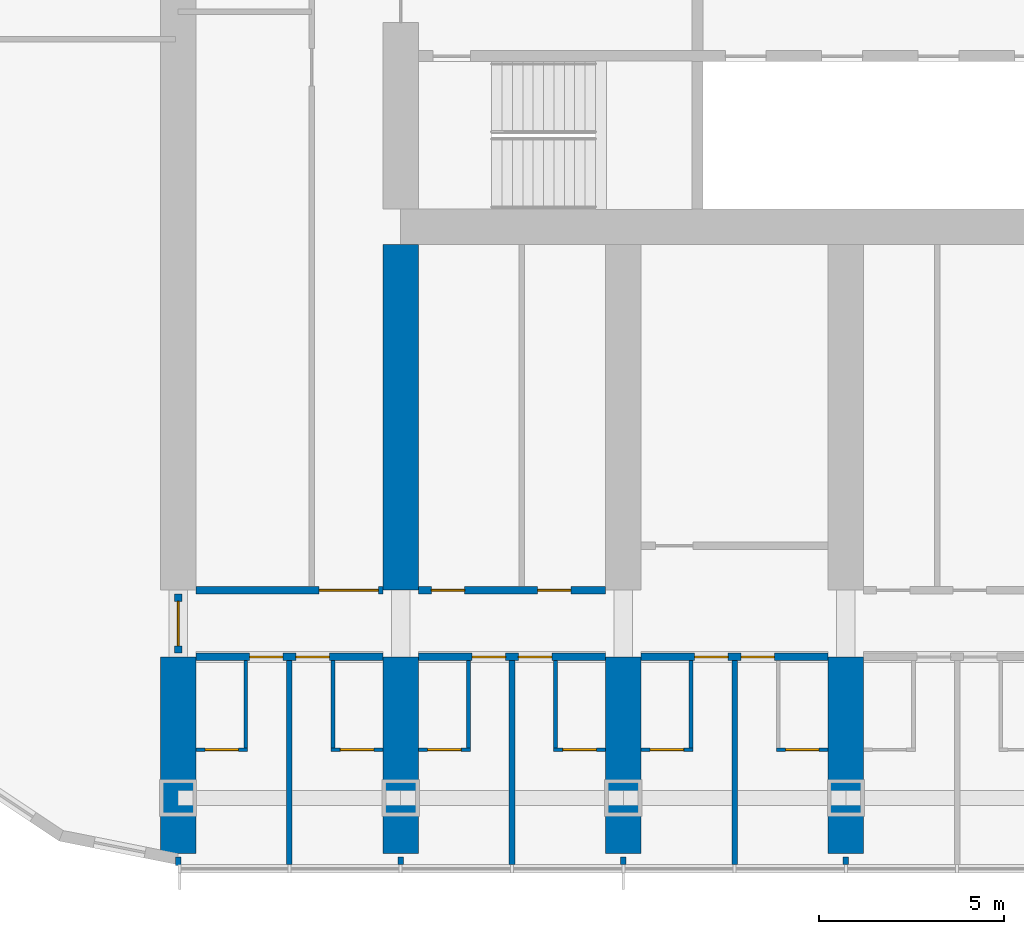
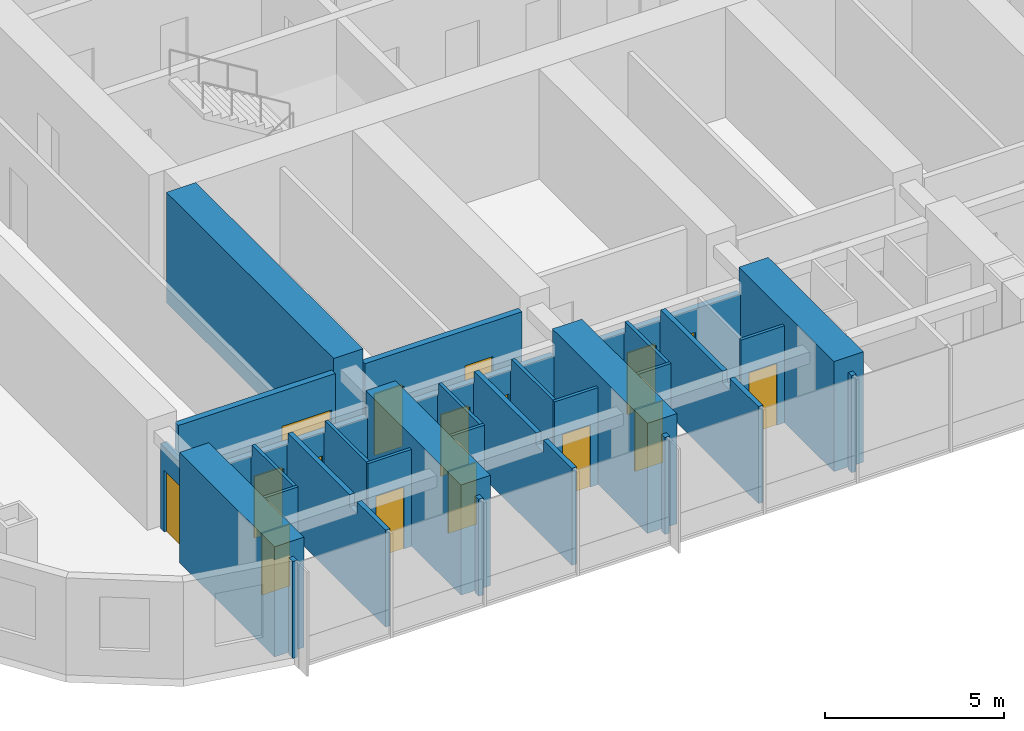
# One storey, part 8 of 22: 29 walls, 16 doors, 16 openings.
"""IFC4 building model written with IfcOpenShell, lengths in metres."""

from ifc_helpers import new_model, si_unit, direction, frame, frame_2d, origin, place, context, subcontext, project, spatial, polyline, rectangle, outline, extrude, material, layer, layer_set, type_object, element, fill, save


model = new_model("IFC4")

# Units and contexts
model_context = context("Model", 3, precision=1e-05, world=origin(), true_north=direction((0.0, 1.0)))
body_context = subcontext(model_context, "Body", "Model", "MODEL_VIEW")
ifc_project = project(units=[si_unit("LENGTHUNIT", "METRE"), si_unit("AREAUNIT", "SQUARE_METRE"), si_unit("VOLUMEUNIT", "CUBIC_METRE"), si_unit("PLANEANGLEUNIT", "RADIAN"), si_unit("MASSUNIT", "GRAM", prefix="KILO")], contexts=[model_context])

# Site, building, storey
site_placement = place(None, origin())
site = spatial("IfcSite", under=ifc_project, at=site_placement, CompositionType="ELEMENT")
building_placement = place(site_placement, origin())
building = spatial("IfcBuilding", under=site, at=building_placement, Name="Orbita Commons", CompositionType="ELEMENT")
storey_placement = place(building_placement, frame((0.0, 0.0, 80.64990234375)))
storey = spatial("IfcBuildingStorey", under=building, at=storey_placement, Name="L19", CompositionType="ELEMENT", Elevation=80.64990234375)

# Wall, openings, doors
ifc_material_1 = material(Name="Concrete blockwork", Category="masonry")
ifc_layer_1 = layer(ifc_material_1, 0.199951171875)
ifc_layer_set_1 = layer_set([ifc_layer_1], Name="Concrete blockwork")
wall_type_1 = type_object("IfcWallType", Name="Corridor wall 200 blockwork", PredefinedType="SOLIDWALL", material=ifc_layer_set_1)
wall_1_placement = place(storey_placement, frame((12.47509765625, 14.199951171875, 0.0), z_axis=(0.0, 0.0, 1.0), x_axis=(1.0, 0.0, 0.0)))
wall_1 = element("IfcWall", 1, at=wall_1_placement, inside=storey, type_object=wall_type_1, Name="Corridor wall 200 blockwork L19", PredefinedType="SOLIDWALL", context=body_context, shape_type="SweptSolid", body=[
    extrude(outline(polyline([(0.0, 0.0), (5.0498046875, 0.0), (5.050048828125, 2.900146484375), (0.0, 2.900146484375), (0.0, 0.0)])), frame((0.0, 0.10009765625, 0.0), z_axis=(0.0, -1.0, 0.0), x_axis=(1.0, 0.0, 0.0)), (0.0, 0.0, 1.0), 0.199951171875),
])
opening_1_placement = place(wall_1_placement, frame((1.449951171875, 0.0, 0.0)))
opening_1 = element("IfcOpeningElement", 2, at=opening_1_placement, cuts=wall_1, Name="Opening D11", PredefinedType="OPENING", context=body_context, shape_type="SweptSolid", body=[
    extrude(rectangle(XDim=0.89990234375, YDim=2.10009765625, at=frame_2d((0.449951171875, 1.050048828125))), frame((0.0, 0.10986328125, 0.0), z_axis=(0.0, -1.0, 0.0), x_axis=(1.0, 0.0, 0.0)), (0.0, 0.0, 1.0), 0.219970703125),
])
opening_2_placement = place(wall_1_placement, frame((2.699951171875, 0.0, 0.0)))
opening_2 = element("IfcOpeningElement", 3, at=opening_2_placement, cuts=wall_1, Name="Opening D11", PredefinedType="OPENING", context=body_context, shape_type="SweptSolid", body=[
    extrude(rectangle(XDim=0.89990234375, YDim=2.10009765625, at=frame_2d((0.449951171875, 1.050048828125))), frame((0.0, 0.10986328125, 0.0), z_axis=(0.0, -1.0, 0.0), x_axis=(1.0, 0.0, 0.0)), (0.0, 0.0, 1.0), 0.219970703125),
])
ifc_material_2 = material(Name="Steel-faced fire door leaf", Category="steel")
door_type_1 = type_object("IfcDoorType", Name="Corridor door 20 min 900x2100", OperationType="SINGLE_SWING_LEFT", PredefinedType="DOOR", material=ifc_material_2)
door_1_placement = place(opening_1_placement, origin())
door_1 = element("IfcDoor", 4, at=door_1_placement, inside=storey, type_object=door_type_1, Name="Cluster bedroom L19-S00 door", OperationType="SINGLE_SWING_LEFT", OverallHeight=2.10009765625, OverallWidth=0.89990234375, PredefinedType="DOOR", context=body_context, shape_type="SweptSolid", body=[
    extrude(rectangle(XDim=0.89990234375, YDim=2.10009765625, at=frame_2d((0.449951171875, 1.050048828125))), frame((0.0, 0.02490234375, 0.0), z_axis=(0.0, -1.0, 0.0), x_axis=(1.0, 0.0, 0.0)), (0.0, 0.0, 1.0), 0.050048828125),
])
fill(opening_1, door_1)
door_2_placement = place(opening_2_placement, origin())
door_2 = element("IfcDoor", 5, at=door_2_placement, inside=storey, type_object=door_type_1, Name="Cluster bedroom L19-S01 door", OperationType="SINGLE_SWING_LEFT", OverallHeight=2.10009765625, OverallWidth=0.89990234375, PredefinedType="DOOR", context=body_context, shape_type="SweptSolid", body=[
    extrude(rectangle(XDim=0.89990234375, YDim=2.10009765625, at=frame_2d((0.449951171875, 1.050048828125))), frame((0.0, 0.02490234375, 0.0), z_axis=(0.0, -1.0, 0.0), x_axis=(1.0, 0.0, 0.0)), (0.0, 0.0, 1.0), 0.050048828125),
])
fill(opening_2, door_2)

wall_2_placement = place(storey_placement, frame((18.47509765625, 14.199951171875, 0.0), z_axis=(0.0, 0.0, 1.0), x_axis=(1.0, 0.0, 0.0)))
wall_2 = element("IfcWall", 6, at=wall_2_placement, inside=storey, type_object=wall_type_1, Name="Corridor wall 200 blockwork L19", PredefinedType="SOLIDWALL", context=body_context, shape_type="SweptSolid", body=[
    extrude(outline(polyline([(0.0, 0.0), (5.0498046875, 0.0), (5.050048828125, 2.900146484375), (0.0, 2.900146484375), (0.0, 0.0)])), frame((0.0, 0.10009765625, 0.0), z_axis=(0.0, -1.0, 0.0), x_axis=(1.0, 0.0, 0.0)), (0.0, 0.0, 1.0), 0.199951171875),
])
opening_3_placement = place(wall_2_placement, frame((1.449951171875, 0.0, 0.0)))
opening_3 = element("IfcOpeningElement", 7, at=opening_3_placement, cuts=wall_2, Name="Opening D11", PredefinedType="OPENING", context=body_context, shape_type="SweptSolid", body=[
    extrude(rectangle(XDim=0.89990234375, YDim=2.10009765625, at=frame_2d((0.449951171875, 1.050048828125))), frame((0.0, 0.10986328125, 0.0), z_axis=(0.0, -1.0, 0.0), x_axis=(1.0, 0.0, 0.0)), (0.0, 0.0, 1.0), 0.219970703125),
])
opening_4_placement = place(wall_2_placement, frame((2.699951171875, 0.0, 0.0)))
opening_4 = element("IfcOpeningElement", 8, at=opening_4_placement, cuts=wall_2, Name="Opening D11", PredefinedType="OPENING", context=body_context, shape_type="SweptSolid", body=[
    extrude(rectangle(XDim=0.89990234375, YDim=2.10009765625, at=frame_2d((0.449951171875, 1.050048828125))), frame((0.0, 0.10986328125, 0.0), z_axis=(0.0, -1.0, 0.0), x_axis=(1.0, 0.0, 0.0)), (0.0, 0.0, 1.0), 0.219970703125),
])
door_3_placement = place(opening_3_placement, origin())
door_3 = element("IfcDoor", 9, at=door_3_placement, inside=storey, type_object=door_type_1, Name="Cluster bedroom L19-S02 door", OperationType="SINGLE_SWING_LEFT", OverallHeight=2.10009765625, OverallWidth=0.89990234375, PredefinedType="DOOR", context=body_context, shape_type="SweptSolid", body=[
    extrude(rectangle(XDim=0.89990234375, YDim=2.10009765625, at=frame_2d((0.449951171875, 1.050048828125))), frame((0.0, 0.02490234375, 0.0), z_axis=(0.0, -1.0, 0.0), x_axis=(1.0, 0.0, 0.0)), (0.0, 0.0, 1.0), 0.050048828125),
])
fill(opening_3, door_3)
door_4_placement = place(opening_4_placement, origin())
door_4 = element("IfcDoor", 10, at=door_4_placement, inside=storey, type_object=door_type_1, Name="Cluster bedroom L19-S03 door", OperationType="SINGLE_SWING_LEFT", OverallHeight=2.10009765625, OverallWidth=0.89990234375, PredefinedType="DOOR", context=body_context, shape_type="SweptSolid", body=[
    extrude(rectangle(XDim=0.89990234375, YDim=2.10009765625, at=frame_2d((0.449951171875, 1.050048828125))), frame((0.0, 0.02490234375, 0.0), z_axis=(0.0, -1.0, 0.0), x_axis=(1.0, 0.0, 0.0)), (0.0, 0.0, 1.0), 0.050048828125),
])
fill(opening_4, door_4)

wall_3_placement = place(storey_placement, frame((24.47509765625, 14.199951171875, 0.0), z_axis=(0.0, 0.0, 1.0), x_axis=(1.0, 0.0, 0.0)))
wall_3 = element("IfcWall", 11, at=wall_3_placement, inside=storey, type_object=wall_type_1, Name="Corridor wall 200 blockwork L19", PredefinedType="SOLIDWALL", context=body_context, shape_type="SweptSolid", body=[
    extrude(outline(polyline([(0.0, 0.0), (5.0498046875, 0.0), (5.050048828125, 2.900146484375), (0.0, 2.900146484375), (0.0, 0.0)])), frame((0.0, 0.10009765625, 0.0), z_axis=(0.0, -1.0, 0.0), x_axis=(1.0, 0.0, 0.0)), (0.0, 0.0, 1.0), 0.199951171875),
])
opening_5_placement = place(wall_3_placement, frame((1.449951171875, 0.0, 0.0)))
opening_5 = element("IfcOpeningElement", 12, at=opening_5_placement, cuts=wall_3, Name="Opening D11", PredefinedType="OPENING", context=body_context, shape_type="SweptSolid", body=[
    extrude(rectangle(XDim=0.89990234375, YDim=2.10009765625, at=frame_2d((0.449951171875, 1.050048828125))), frame((0.0, 0.10986328125, 0.0), z_axis=(0.0, -1.0, 0.0), x_axis=(1.0, 0.0, 0.0)), (0.0, 0.0, 1.0), 0.219970703125),
])
opening_6_placement = place(wall_3_placement, frame((2.699951171875, 0.0, 0.0)))
opening_6 = element("IfcOpeningElement", 13, at=opening_6_placement, cuts=wall_3, Name="Opening D11", PredefinedType="OPENING", context=body_context, shape_type="SweptSolid", body=[
    extrude(rectangle(XDim=0.89990234375, YDim=2.10009765625, at=frame_2d((0.449951171875, 1.050048828125))), frame((0.0, 0.10986328125, 0.0), z_axis=(0.0, -1.0, 0.0), x_axis=(1.0, 0.0, 0.0)), (0.0, 0.0, 1.0), 0.219970703125),
])
door_5_placement = place(opening_5_placement, origin())
door_5 = element("IfcDoor", 14, at=door_5_placement, inside=storey, type_object=door_type_1, Name="Cluster bedroom L19-S04 door", OperationType="SINGLE_SWING_LEFT", OverallHeight=2.10009765625, OverallWidth=0.89990234375, PredefinedType="DOOR", context=body_context, shape_type="SweptSolid", body=[
    extrude(rectangle(XDim=0.89990234375, YDim=2.10009765625, at=frame_2d((0.449951171875, 1.050048828125))), frame((0.0, 0.02490234375, 0.0), z_axis=(0.0, -1.0, 0.0), x_axis=(1.0, 0.0, 0.0)), (0.0, 0.0, 1.0), 0.050048828125),
])
fill(opening_5, door_5)
door_6_placement = place(opening_6_placement, origin())
door_6 = element("IfcDoor", 15, at=door_6_placement, inside=storey, type_object=door_type_1, Name="Cluster bedroom L19-S05 door", OperationType="SINGLE_SWING_LEFT", OverallHeight=2.10009765625, OverallWidth=0.89990234375, PredefinedType="DOOR", context=body_context, shape_type="SweptSolid", body=[
    extrude(rectangle(XDim=0.89990234375, YDim=2.10009765625, at=frame_2d((0.449951171875, 1.050048828125))), frame((0.0, 0.02490234375, 0.0), z_axis=(0.0, -1.0, 0.0), x_axis=(1.0, 0.0, 0.0)), (0.0, 0.0, 1.0), 0.050048828125),
])
fill(opening_6, door_6)

# Wall, opening, door
wall_4_placement = place(storey_placement, frame((12.0, 14.300048828125, 0.0), z_axis=(0.0, 0.0, 1.0), x_axis=(0.0, 1.0, 0.0)))
wall_4 = element("IfcWall", 16, at=wall_4_placement, inside=storey, type_object=wall_type_1, Name="Corridor wall 200 blockwork L19", PredefinedType="SOLIDWALL", context=body_context, shape_type="SweptSolid", body=[
    extrude(outline(polyline([(0.0, 0.0), (1.599853515625, 0.0), (1.60009765625, 2.900146484375), (0.0, 2.900146484375), (0.0, 0.0)])), frame((0.0, 0.10009765625, 0.0), z_axis=(0.0, -1.0, 0.0), x_axis=(1.0, 0.0, 0.0)), (0.0, 0.0, 1.0), 0.199951171875),
])
opening_7_placement = place(wall_4_placement, frame((0.199951171875, 0.0, 0.0)))
opening_7 = element("IfcOpeningElement", 17, at=opening_7_placement, cuts=wall_4, Name="Opening D12", PredefinedType="OPENING", context=body_context, shape_type="SweptSolid", body=[
    extrude(rectangle(XDim=1.199951171875, YDim=2.10009765625, at=frame_2d((0.60009765625, 1.050048828125))), frame((0.0, 0.10986328125, 0.0), z_axis=(0.0, -1.0, 0.0), x_axis=(1.0, 0.0, 0.0)), (0.0, 0.0, 1.0), 0.219970703125),
])
ifc_material_3 = material(Name="Steel-faced fire door leaf", Category="steel")
door_type_2 = type_object("IfcDoorType", Name="Double corridor door 20 min 1200x2100", OperationType="DOUBLE_DOOR_SINGLE_SWING", PredefinedType="DOOR", material=ifc_material_3)
door_7_placement = place(opening_7_placement, origin())
door_7 = element("IfcDoor", 18, at=door_7_placement, inside=storey, type_object=door_type_2, Name="Lounge doors", OperationType="DOUBLE_DOOR_SINGLE_SWING", OverallHeight=2.10009765625, OverallWidth=1.199951171875, PredefinedType="DOOR", context=body_context, shape_type="SweptSolid", body=[
    extrude(rectangle(XDim=1.199951171875, YDim=2.10009765625, at=frame_2d((0.60009765625, 1.050048828125))), frame((0.0, 0.02490234375, 0.0), z_axis=(0.0, -1.0, 0.0), x_axis=(1.0, 0.0, 0.0)), (0.0, 0.0, 1.0), 0.050048828125),
])
fill(opening_7, door_7)

ifc_material_4 = material(Name="Hollow concrete block 200", Category="concrete")
ifc_layer_2 = layer(ifc_material_4, 0.199951171875)
ifc_layer_set_2 = layer_set([ifc_layer_2], Name="Hollow concrete block 200")
wall_type_2 = type_object("IfcWallType", Name="Corridor wall 200 hollow concrete block", PredefinedType="SOLIDWALL", material=ifc_layer_set_2)
wall_5_placement = place(storey_placement, frame((12.47509765625, 16.0, 0.0), z_axis=(0.0, 0.0, 1.0), x_axis=(1.0, 0.0, 0.0)))
wall_5 = element("IfcWall", 19, at=wall_5_placement, inside=storey, type_object=wall_type_2, Name="Corridor wall 200 hollow concrete block L19", PredefinedType="SOLIDWALL", context=body_context, shape_type="SweptSolid", body=[
    extrude(rectangle(XDim=5.0498046875, YDim=0.199951171875, at=frame_2d((2.52490234375, 0.0))), origin(), (0.0, 0.0, 1.0), 3.300048828125),
])
opening_8_placement = place(wall_5_placement, frame((3.324951171875, 0.0, 0.0)))
opening_8 = element("IfcOpeningElement", 20, at=opening_8_placement, cuts=wall_5, Name="Opening D10", PredefinedType="OPENING", context=body_context, shape_type="SweptSolid", body=[
    extrude(rectangle(XDim=1.60009765625, YDim=2.10009765625, at=frame_2d((0.800048828125, 1.050048828125))), frame((0.0, 0.10986328125, 0.0), z_axis=(0.0, -1.0, 0.0), x_axis=(1.0, 0.0, 0.0)), (0.0, 0.0, 1.0), 0.219970703125),
])
ifc_material_5 = material(Name="Steel-faced fire door leaf", Category="steel")
door_type_3 = type_object("IfcDoorType", Name="Double corridor door 20 min 1600x2100", OperationType="DOUBLE_DOOR_SINGLE_SWING", PredefinedType="DOOR", material=ifc_material_5)
door_8_placement = place(opening_8_placement, origin())
door_8 = element("IfcDoor", 21, at=door_8_placement, inside=storey, type_object=door_type_3, Name="Cross corridor doors", OperationType="DOUBLE_DOOR_SINGLE_SWING", OverallHeight=2.10009765625, OverallWidth=1.60009765625, PredefinedType="DOOR", context=body_context, shape_type="SweptSolid", body=[
    extrude(rectangle(XDim=1.60009765625, YDim=2.10009765625, at=frame_2d((0.800048828125, 1.050048828125))), frame((0.0, 0.02490234375, 0.0), z_axis=(0.0, -1.0, 0.0), x_axis=(1.0, 0.0, 0.0)), (0.0, 0.0, 1.0), 0.050048828125),
])
fill(opening_8, door_8)

# Wall, openings, doors
wall_6_placement = place(storey_placement, frame((18.47509765625, 16.0, 0.0), z_axis=(0.0, 0.0, 1.0), x_axis=(1.0, 0.0, 0.0)))
wall_6 = element("IfcWall", 22, at=wall_6_placement, inside=storey, type_object=wall_type_2, Name="Corridor wall 200 hollow concrete block L19", PredefinedType="SOLIDWALL", context=body_context, shape_type="SweptSolid", body=[
    extrude(rectangle(XDim=5.0498046875, YDim=0.199951171875, at=frame_2d((2.52490234375, 0.0))), origin(), (0.0, 0.0, 1.0), 3.300048828125),
])
opening_9_placement = place(wall_6_placement, frame((0.35009765625, 0.0, 0.0)))
opening_9 = element("IfcOpeningElement", 23, at=opening_9_placement, cuts=wall_6, Name="Opening D11", PredefinedType="OPENING", context=body_context, shape_type="SweptSolid", body=[
    extrude(rectangle(XDim=0.89990234375, YDim=2.10009765625, at=frame_2d((0.449951171875, 1.050048828125))), frame((0.0, 0.10986328125, 0.0), z_axis=(0.0, -1.0, 0.0), x_axis=(1.0, 0.0, 0.0)), (0.0, 0.0, 1.0), 0.219970703125),
])
opening_10_placement = place(wall_6_placement, frame((3.215087890625, 0.0, 0.0)))
opening_10 = element("IfcOpeningElement", 24, at=opening_10_placement, cuts=wall_6, Name="Opening D11", PredefinedType="OPENING", context=body_context, shape_type="SweptSolid", body=[
    extrude(rectangle(XDim=0.89990234375, YDim=2.10009765625, at=frame_2d((0.449951171875, 1.050048828125))), frame((0.0, 0.10986328125, 0.0), z_axis=(0.0, -1.0, 0.0), x_axis=(1.0, 0.0, 0.0)), (0.0, 0.0, 1.0), 0.219970703125),
])
door_9_placement = place(opening_9_placement, origin())
door_9 = element("IfcDoor", 25, at=door_9_placement, inside=storey, type_object=door_type_1, Name="Meeting room L19-BDS18 door", OperationType="SINGLE_SWING_LEFT", OverallHeight=2.10009765625, OverallWidth=0.89990234375, PredefinedType="DOOR", context=body_context, shape_type="SweptSolid", body=[
    extrude(rectangle(XDim=0.89990234375, YDim=2.10009765625, at=frame_2d((0.449951171875, 1.050048828125))), frame((0.0, 0.02490234375, 0.0), z_axis=(0.0, -1.0, 0.0), x_axis=(1.0, 0.0, 0.0)), (0.0, 0.0, 1.0), 0.050048828125),
])
fill(opening_9, door_9)
door_10_placement = place(opening_10_placement, origin())
door_10 = element("IfcDoor", 26, at=door_10_placement, inside=storey, type_object=door_type_1, Name="Accessible WC and shower room L19-BDS18n door", OperationType="SINGLE_SWING_LEFT", OverallHeight=2.10009765625, OverallWidth=0.89990234375, PredefinedType="DOOR", context=body_context, shape_type="SweptSolid", body=[
    extrude(rectangle(XDim=0.89990234375, YDim=2.10009765625, at=frame_2d((0.449951171875, 1.050048828125))), frame((0.0, 0.02490234375, 0.0), z_axis=(0.0, -1.0, 0.0), x_axis=(1.0, 0.0, 0.0)), (0.0, 0.0, 1.0), 0.050048828125),
])
fill(opening_10, door_10)

# Walls
ifc_material_6 = material(Name="Concrete C50/60", Category="concrete")
ifc_layer_3 = layer(ifc_material_6, 0.949951171875)
ifc_layer_set_3 = layer_set([ifc_layer_3], Name="Concrete C50/60")
wall_type_3 = type_object("IfcWallType", Name="Cross wall 950 C50/60", PredefinedType="SHEAR", material=ifc_layer_set_3)
for number, where, z_axis, x_axis, name in (
    (27, (12.0, 8.89990234375, 0.0), (0.0, 0.0, 1.0), (0.0, 1.0, 0.0), "Cross wall 3 south outer L19"),
    (28, (18.0, 8.89990234375, 0.0), (0.0, 0.0, 1.0), (0.0, 1.0, 0.0), "Cross wall 4 south outer L19"),
):
    element("IfcWall", number, at=place(storey_placement, frame(where, z_axis=z_axis, x_axis=x_axis)), inside=storey, type_object=wall_type_3, Name=name, PredefinedType="SHEAR", context=body_context, shape_type="SweptSolid", body=[
        extrude(rectangle(XDim=5.300048828125, YDim=0.949951171875, at=frame_2d((2.64990234375, 0.0))), origin(), (0.0, 0.0, 1.0), 3.75),
    ])
wall_7_placement = place(storey_placement, frame((18.0, 16.0, 0.0), z_axis=(0.0, 0.0, 1.0), x_axis=(0.0, 1.0, 0.0)))
element("IfcWall", 29, at=wall_7_placement, inside=storey, type_object=wall_type_3, Name="Cross wall 4 south inner L19", PredefinedType="SHEAR", context=body_context, shape_type="SweptSolid", body=[
    extrude(rectangle(XDim=9.324951171875, YDim=0.949951171875, at=frame_2d((4.66259765625, 0.0))), origin(), (0.0, 0.0, 1.0), 3.75),
])
for number, where, z_axis, x_axis, name in (
    (30, (24.0, 8.89990234375, 0.0), (0.0, 0.0, 1.0), (0.0, 1.0, 0.0), "Cross wall 5 south outer L19"),
    (31, (30.0, 8.89990234375, 0.0), (0.0, 0.0, 1.0), (0.0, 1.0, 0.0), "Cross wall 6 south outer L19"),
):
    element("IfcWall", number, at=place(storey_placement, frame(where, z_axis=z_axis, x_axis=x_axis)), inside=storey, type_object=wall_type_3, Name=name, PredefinedType="SHEAR", context=body_context, shape_type="SweptSolid", body=[
        extrude(rectangle(XDim=5.300048828125, YDim=0.949951171875, at=frame_2d((2.64990234375, 0.0))), origin(), (0.0, 0.0, 1.0), 3.75),
    ])

# Wall, opening, door
ifc_material_7 = material(Name="Moisture-resistant plasterboard on steel studs", Category="steel")
ifc_layer_4 = layer(ifc_material_7, 0.10009765625)
ifc_layer_set_4 = layer_set([ifc_layer_4], Name="Moisture-resistant plasterboard on steel studs")
wall_type_4 = type_object("IfcWallType", Name="En-suite partition 100", PredefinedType="PARTITIONING", material=ifc_layer_set_4)
wall_8_placement = place(storey_placement, frame((13.875, 11.699951171875, 0.0), z_axis=(0.0, 0.0, 1.0), x_axis=(-1.0, 0.0, 0.0)))
wall_8 = element("IfcWall", 32, at=wall_8_placement, inside=storey, type_object=wall_type_4, Name="En-suite partition 100 L19", PredefinedType="PARTITIONING", context=body_context, shape_type="SweptSolid", body=[
    extrude(rectangle(XDim=1.39990234375, YDim=0.10009765625, at=frame_2d((0.699951171875, 0.0))), origin(), (0.0, 0.0, 1.0), 3.300048828125),
])
opening_11_placement = place(wall_8_placement, frame((0.25, 0.0, 0.0)))
opening_11 = element("IfcOpeningElement", 33, at=opening_11_placement, cuts=wall_8, Name="Opening D09", PredefinedType="OPENING", context=body_context, shape_type="SweptSolid", body=[
    extrude(rectangle(XDim=0.89990234375, YDim=2.10009765625, at=frame_2d((0.449951171875, 1.050048828125))), frame((0.0, 0.06005859375, 0.0), z_axis=(0.0, -1.0, 0.0), x_axis=(1.0, 0.0, 0.0)), (0.0, 0.0, 1.0), 0.1201171875),
])
ifc_material_8 = material(Name="Laminated timber door leaf", Category="wood")
door_type_4 = type_object("IfcDoorType", Name="En-suite door 900x2100", OperationType="SINGLE_SWING_RIGHT", PredefinedType="DOOR", material=ifc_material_8)
door_11_placement = place(opening_11_placement, origin())
door_11 = element("IfcDoor", 34, at=door_11_placement, inside=storey, type_object=door_type_4, Name="En-suite L19-S00 door", OperationType="SINGLE_SWING_RIGHT", OverallHeight=2.10009765625, OverallWidth=0.89990234375, PredefinedType="DOOR", context=body_context, shape_type="SweptSolid", body=[
    extrude(rectangle(XDim=0.89990234375, YDim=2.10009765625, at=frame_2d((0.449951171875, 1.050048828125))), frame((0.0, 0.02490234375, 0.0), z_axis=(0.0, -1.0, 0.0), x_axis=(1.0, 0.0, 0.0)), (0.0, 0.0, 1.0), 0.050048828125),
])
fill(opening_11, door_11)

# Wall
wall_9_placement = place(storey_placement, frame((13.824951171875, 11.75, 0.0), z_axis=(0.0, 0.0, 1.0), x_axis=(0.0, 1.0, 0.0)))
element("IfcWall", 35, at=wall_9_placement, inside=storey, type_object=wall_type_4, Name="En-suite partition 100 L19", PredefinedType="PARTITIONING", context=body_context, shape_type="SweptSolid", body=[
    extrude(outline(polyline([(0.0, 0.0), (2.35009765625, 0.0), (2.35009765625, 2.900146484375), (2.302001953125, 2.900146484375), (2.300048828125, 3.300048828125), (0.0, 3.300048828125), (0.0, 0.0)])), frame((0.0, 0.050048828125, 0.0), z_axis=(0.0, -1.0, 0.0), x_axis=(1.0, 0.0, 0.0)), (0.0, 0.0, 1.0), 0.10009765625),
])

# Wall, opening, door
wall_10_placement = place(storey_placement, frame((17.52490234375, 11.699951171875, 0.0), z_axis=(0.0, 0.0, 1.0), x_axis=(-1.0, 0.0, 0.0)))
wall_10 = element("IfcWall", 36, at=wall_10_placement, inside=storey, type_object=wall_type_4, Name="En-suite partition 100 L19", PredefinedType="PARTITIONING", context=body_context, shape_type="SweptSolid", body=[
    extrude(rectangle(XDim=1.39990234375, YDim=0.10009765625, at=frame_2d((0.699951171875, 0.0))), origin(), (0.0, 0.0, 1.0), 3.300048828125),
])
opening_12_placement = place(wall_10_placement, frame((0.25, 0.0, 0.0)))
opening_12 = element("IfcOpeningElement", 37, at=opening_12_placement, cuts=wall_10, Name="Opening D09", PredefinedType="OPENING", context=body_context, shape_type="SweptSolid", body=[
    extrude(rectangle(XDim=0.89990234375, YDim=2.10009765625, at=frame_2d((0.449951171875, 1.050048828125))), frame((0.0, 0.06005859375, 0.0), z_axis=(0.0, -1.0, 0.0), x_axis=(1.0, 0.0, 0.0)), (0.0, 0.0, 1.0), 0.1201171875),
])
door_12_placement = place(opening_12_placement, origin())
door_12 = element("IfcDoor", 38, at=door_12_placement, inside=storey, type_object=door_type_4, Name="En-suite L19-S01 door", OperationType="SINGLE_SWING_RIGHT", OverallHeight=2.10009765625, OverallWidth=0.89990234375, PredefinedType="DOOR", context=body_context, shape_type="SweptSolid", body=[
    extrude(rectangle(XDim=0.89990234375, YDim=2.10009765625, at=frame_2d((0.449951171875, 1.050048828125))), frame((0.0, 0.02490234375, 0.0), z_axis=(0.0, -1.0, 0.0), x_axis=(1.0, 0.0, 0.0)), (0.0, 0.0, 1.0), 0.050048828125),
])
fill(opening_12, door_12)

# Wall
wall_11_placement = place(storey_placement, frame((16.175048828125, 11.75, 0.0), z_axis=(0.0, 0.0, 1.0), x_axis=(0.0, 1.0, 0.0)))
element("IfcWall", 39, at=wall_11_placement, inside=storey, type_object=wall_type_4, Name="En-suite partition 100 L19", PredefinedType="PARTITIONING", context=body_context, shape_type="SweptSolid", body=[
    extrude(outline(polyline([(0.0, 0.0), (2.35009765625, 0.0), (2.35009765625, 2.900146484375), (2.302001953125, 2.900146484375), (2.300048828125, 3.300048828125), (0.0, 3.300048828125), (0.0, 0.0)])), frame((0.0, 0.050048828125, 0.0), z_axis=(0.0, -1.0, 0.0), x_axis=(1.0, 0.0, 0.0)), (0.0, 0.0, 1.0), 0.10009765625),
])

# Wall, opening, door
wall_12_placement = place(storey_placement, frame((19.875, 11.699951171875, 0.0), z_axis=(0.0, 0.0, 1.0), x_axis=(-1.0, 0.0, 0.0)))
wall_12 = element("IfcWall", 40, at=wall_12_placement, inside=storey, type_object=wall_type_4, Name="En-suite partition 100 L19", PredefinedType="PARTITIONING", context=body_context, shape_type="SweptSolid", body=[
    extrude(rectangle(XDim=1.39990234375, YDim=0.10009765625, at=frame_2d((0.699951171875, 0.0))), origin(), (0.0, 0.0, 1.0), 3.300048828125),
])
opening_13_placement = place(wall_12_placement, frame((0.25, 0.0, 0.0)))
opening_13 = element("IfcOpeningElement", 41, at=opening_13_placement, cuts=wall_12, Name="Opening D09", PredefinedType="OPENING", context=body_context, shape_type="SweptSolid", body=[
    extrude(rectangle(XDim=0.89990234375, YDim=2.10009765625, at=frame_2d((0.449951171875, 1.050048828125))), frame((0.0, 0.06005859375, 0.0), z_axis=(0.0, -1.0, 0.0), x_axis=(1.0, 0.0, 0.0)), (0.0, 0.0, 1.0), 0.1201171875),
])
door_13_placement = place(opening_13_placement, origin())
door_13 = element("IfcDoor", 42, at=door_13_placement, inside=storey, type_object=door_type_4, Name="En-suite L19-S02 door", OperationType="SINGLE_SWING_RIGHT", OverallHeight=2.10009765625, OverallWidth=0.89990234375, PredefinedType="DOOR", context=body_context, shape_type="SweptSolid", body=[
    extrude(rectangle(XDim=0.89990234375, YDim=2.10009765625, at=frame_2d((0.449951171875, 1.050048828125))), frame((0.0, 0.02490234375, 0.0), z_axis=(0.0, -1.0, 0.0), x_axis=(1.0, 0.0, 0.0)), (0.0, 0.0, 1.0), 0.050048828125),
])
fill(opening_13, door_13)

# Wall
wall_13_placement = place(storey_placement, frame((19.824951171875, 11.75, 0.0), z_axis=(0.0, 0.0, 1.0), x_axis=(0.0, 1.0, 0.0)))
element("IfcWall", 43, at=wall_13_placement, inside=storey, type_object=wall_type_4, Name="En-suite partition 100 L19", PredefinedType="PARTITIONING", context=body_context, shape_type="SweptSolid", body=[
    extrude(outline(polyline([(0.0, 0.0), (2.35009765625, 0.0), (2.35009765625, 2.900146484375), (2.302001953125, 2.900146484375), (2.300048828125, 3.300048828125), (0.0, 3.300048828125), (0.0, 0.0)])), frame((0.0, 0.050048828125, 0.0), z_axis=(0.0, -1.0, 0.0), x_axis=(1.0, 0.0, 0.0)), (0.0, 0.0, 1.0), 0.10009765625),
])

# Wall, opening, door
wall_14_placement = place(storey_placement, frame((23.52490234375, 11.699951171875, 0.0), z_axis=(0.0, 0.0, 1.0), x_axis=(-1.0, 0.0, 0.0)))
wall_14 = element("IfcWall", 44, at=wall_14_placement, inside=storey, type_object=wall_type_4, Name="En-suite partition 100 L19", PredefinedType="PARTITIONING", context=body_context, shape_type="SweptSolid", body=[
    extrude(rectangle(XDim=1.39990234375, YDim=0.10009765625, at=frame_2d((0.699951171875, 0.0))), origin(), (0.0, 0.0, 1.0), 3.300048828125),
])
opening_14_placement = place(wall_14_placement, frame((0.25, 0.0, 0.0)))
opening_14 = element("IfcOpeningElement", 45, at=opening_14_placement, cuts=wall_14, Name="Opening D09", PredefinedType="OPENING", context=body_context, shape_type="SweptSolid", body=[
    extrude(rectangle(XDim=0.89990234375, YDim=2.10009765625, at=frame_2d((0.449951171875, 1.050048828125))), frame((0.0, 0.06005859375, 0.0), z_axis=(0.0, -1.0, 0.0), x_axis=(1.0, 0.0, 0.0)), (0.0, 0.0, 1.0), 0.1201171875),
])
door_14_placement = place(opening_14_placement, origin())
door_14 = element("IfcDoor", 46, at=door_14_placement, inside=storey, type_object=door_type_4, Name="En-suite L19-S03 door", OperationType="SINGLE_SWING_RIGHT", OverallHeight=2.10009765625, OverallWidth=0.89990234375, PredefinedType="DOOR", context=body_context, shape_type="SweptSolid", body=[
    extrude(rectangle(XDim=0.89990234375, YDim=2.10009765625, at=frame_2d((0.449951171875, 1.050048828125))), frame((0.0, 0.02490234375, 0.0), z_axis=(0.0, -1.0, 0.0), x_axis=(1.0, 0.0, 0.0)), (0.0, 0.0, 1.0), 0.050048828125),
])
fill(opening_14, door_14)

# Wall
wall_15_placement = place(storey_placement, frame((22.175048828125, 11.75, 0.0), z_axis=(0.0, 0.0, 1.0), x_axis=(0.0, 1.0, 0.0)))
element("IfcWall", 47, at=wall_15_placement, inside=storey, type_object=wall_type_4, Name="En-suite partition 100 L19", PredefinedType="PARTITIONING", context=body_context, shape_type="SweptSolid", body=[
    extrude(outline(polyline([(0.0, 0.0), (2.35009765625, 0.0), (2.35009765625, 2.900146484375), (2.302001953125, 2.900146484375), (2.300048828125, 3.300048828125), (0.0, 3.300048828125), (0.0, 0.0)])), frame((0.0, 0.050048828125, 0.0), z_axis=(0.0, -1.0, 0.0), x_axis=(1.0, 0.0, 0.0)), (0.0, 0.0, 1.0), 0.10009765625),
])

# Wall, opening, door
wall_16_placement = place(storey_placement, frame((25.875, 11.699951171875, 0.0), z_axis=(0.0, 0.0, 1.0), x_axis=(-1.0, 0.0, 0.0)))
wall_16 = element("IfcWall", 48, at=wall_16_placement, inside=storey, type_object=wall_type_4, Name="En-suite partition 100 L19", PredefinedType="PARTITIONING", context=body_context, shape_type="SweptSolid", body=[
    extrude(rectangle(XDim=1.39990234375, YDim=0.10009765625, at=frame_2d((0.699951171875, 0.0))), origin(), (0.0, 0.0, 1.0), 3.300048828125),
])
opening_15_placement = place(wall_16_placement, frame((0.25, 0.0, 0.0)))
opening_15 = element("IfcOpeningElement", 49, at=opening_15_placement, cuts=wall_16, Name="Opening D09", PredefinedType="OPENING", context=body_context, shape_type="SweptSolid", body=[
    extrude(rectangle(XDim=0.89990234375, YDim=2.10009765625, at=frame_2d((0.449951171875, 1.050048828125))), frame((0.0, 0.06005859375, 0.0), z_axis=(0.0, -1.0, 0.0), x_axis=(1.0, 0.0, 0.0)), (0.0, 0.0, 1.0), 0.1201171875),
])
door_15_placement = place(opening_15_placement, origin())
door_15 = element("IfcDoor", 50, at=door_15_placement, inside=storey, type_object=door_type_4, Name="En-suite L19-S04 door", OperationType="SINGLE_SWING_RIGHT", OverallHeight=2.10009765625, OverallWidth=0.89990234375, PredefinedType="DOOR", context=body_context, shape_type="SweptSolid", body=[
    extrude(rectangle(XDim=0.89990234375, YDim=2.10009765625, at=frame_2d((0.449951171875, 1.050048828125))), frame((0.0, 0.02490234375, 0.0), z_axis=(0.0, -1.0, 0.0), x_axis=(1.0, 0.0, 0.0)), (0.0, 0.0, 1.0), 0.050048828125),
])
fill(opening_15, door_15)

# Wall
wall_17_placement = place(storey_placement, frame((25.824951171875, 11.75, 0.0), z_axis=(0.0, 0.0, 1.0), x_axis=(0.0, 1.0, 0.0)))
element("IfcWall", 51, at=wall_17_placement, inside=storey, type_object=wall_type_4, Name="En-suite partition 100 L19", PredefinedType="PARTITIONING", context=body_context, shape_type="SweptSolid", body=[
    extrude(outline(polyline([(0.0, 0.0), (2.35009765625, 0.0), (2.35009765625, 2.900146484375), (2.302001953125, 2.900146484375), (2.300048828125, 3.300048828125), (0.0, 3.300048828125), (0.0, 0.0)])), frame((0.0, 0.050048828125, 0.0), z_axis=(0.0, -1.0, 0.0), x_axis=(1.0, 0.0, 0.0)), (0.0, 0.0, 1.0), 0.10009765625),
])

# Wall, opening, door
wall_18_placement = place(storey_placement, frame((29.52490234375, 11.699951171875, 0.0), z_axis=(0.0, 0.0, 1.0), x_axis=(-1.0, 0.0, 0.0)))
wall_18 = element("IfcWall", 52, at=wall_18_placement, inside=storey, type_object=wall_type_4, Name="En-suite partition 100 L19", PredefinedType="PARTITIONING", context=body_context, shape_type="SweptSolid", body=[
    extrude(rectangle(XDim=1.39990234375, YDim=0.10009765625, at=frame_2d((0.699951171875, 0.0))), origin(), (0.0, 0.0, 1.0), 3.300048828125),
])
opening_16_placement = place(wall_18_placement, frame((0.25, 0.0, 0.0)))
opening_16 = element("IfcOpeningElement", 53, at=opening_16_placement, cuts=wall_18, Name="Opening D09", PredefinedType="OPENING", context=body_context, shape_type="SweptSolid", body=[
    extrude(rectangle(XDim=0.89990234375, YDim=2.10009765625, at=frame_2d((0.449951171875, 1.050048828125))), frame((0.0, 0.06005859375, 0.0), z_axis=(0.0, -1.0, 0.0), x_axis=(1.0, 0.0, 0.0)), (0.0, 0.0, 1.0), 0.1201171875),
])
door_16_placement = place(opening_16_placement, origin())
door_16 = element("IfcDoor", 54, at=door_16_placement, inside=storey, type_object=door_type_4, Name="En-suite L19-S05 door", OperationType="SINGLE_SWING_RIGHT", OverallHeight=2.10009765625, OverallWidth=0.89990234375, PredefinedType="DOOR", context=body_context, shape_type="SweptSolid", body=[
    extrude(rectangle(XDim=0.89990234375, YDim=2.10009765625, at=frame_2d((0.449951171875, 1.050048828125))), frame((0.0, 0.02490234375, 0.0), z_axis=(0.0, -1.0, 0.0), x_axis=(1.0, 0.0, 0.0)), (0.0, 0.0, 1.0), 0.050048828125),
])
fill(opening_16, door_16)

# Walls
ifc_material_9 = material(Name="Gypsum plasterboard on steel studs", Category="steel")
ifc_layer_5 = layer(ifc_material_9, 0.14990234375)
ifc_layer_set_5 = layer_set([ifc_layer_5], Name="Gypsum plasterboard on steel studs")
wall_type_5 = type_object("IfcWallType", Name="Partition 150 plasterboard", PredefinedType="PARTITIONING", material=ifc_layer_set_5)
wall_19_placement = place(storey_placement, frame((12.0, 8.800048828125, 0.0), z_axis=(0.0, 0.0, 1.0), x_axis=(0.0, -1.0, 0.0)))
element("IfcWall", 55, at=wall_19_placement, inside=storey, type_object=wall_type_5, Name="Partition 150 plasterboard L19", PredefinedType="PARTITIONING", context=body_context, shape_type="SweptSolid", body=[
    extrude(rectangle(XDim=0.219970703125, YDim=0.14990234375, at=frame_2d((0.10986328125, 0.0))), origin(), (0.0, 0.0, 1.0), 3.300048828125),
])
for number, where, z_axis, x_axis, name in (
    (56, (18.0, 8.800048828125, 0.0), (0.0, 0.0, 1.0), (0.0, -1.0, 0.0), "Partition 150 plasterboard L19"),
    (57, (24.0, 8.800048828125, 0.0), (0.0, 0.0, 1.0), (0.0, -1.0, 0.0), "Partition 150 plasterboard L19"),
    (58, (30.0, 8.800048828125, 0.0), (0.0, 0.0, 1.0), (0.0, -1.0, 0.0), "Partition 150 plasterboard L19"),
):
    element("IfcWall", number, at=place(storey_placement, frame(where, z_axis=z_axis, x_axis=x_axis)), inside=storey, type_object=wall_type_5, Name=name, PredefinedType="PARTITIONING", context=body_context, shape_type="SweptSolid", body=[
        extrude(rectangle(XDim=0.18994140625, YDim=0.14990234375, at=frame_2d((0.094970703125, 0.0))), origin(), (0.0, 0.0, 1.0), 3.300048828125),
    ])
ifc_material_10 = material(Name="Gypsum plasterboard on steel studs", Category="steel")
ifc_layer_6 = layer(ifc_material_10, 0.14990234375)
ifc_layer_set_6 = layer_set([ifc_layer_6], Name="Gypsum plasterboard on steel studs")
wall_type_6 = type_object("IfcWallType", Name="Party wall 150 plasterboard", PredefinedType="PARTITIONING", material=ifc_layer_set_6)
for number, where, z_axis, x_axis, name in (
    (59, (15.0, 8.610107421875, 0.0), (0.0, 0.0, 1.0), (0.0, 1.0, 0.0), "Party wall 150 plasterboard L19"),
    (60, (21.0, 8.610107421875, 0.0), (0.0, 0.0, 1.0), (0.0, 1.0, 0.0), "Party wall 150 plasterboard L19"),
    (61, (27.0, 8.610107421875, 0.0), (0.0, 0.0, 1.0), (0.0, 1.0, 0.0), "Party wall 150 plasterboard L19"),
):
    element("IfcWall", number, at=place(storey_placement, frame(where, z_axis=z_axis, x_axis=x_axis)), inside=storey, type_object=wall_type_6, Name=name, PredefinedType="PARTITIONING", context=body_context, shape_type="SweptSolid", body=[
        extrude(outline(polyline([(0.0, 0.0), (5.489990234375, 0.0), (5.489990234375, 2.900146484375), (5.44189453125, 2.900146484375), (5.43994140625, 3.300048828125), (1.991943359375, 3.300048828125), (1.989990234375, 2.900146484375), (1.592041015625, 2.900146484375), (1.590087890625, 3.300048828125), (0.0, 3.300048828125), (0.0, 0.0)])), frame((0.0, 0.074951171875, 0.0), z_axis=(0.0, -1.0, 0.0), x_axis=(1.0, 0.0, 0.0)), (0.0, 0.0, 1.0), 0.14990234375),
    ])

save(model, "model.ifc")
